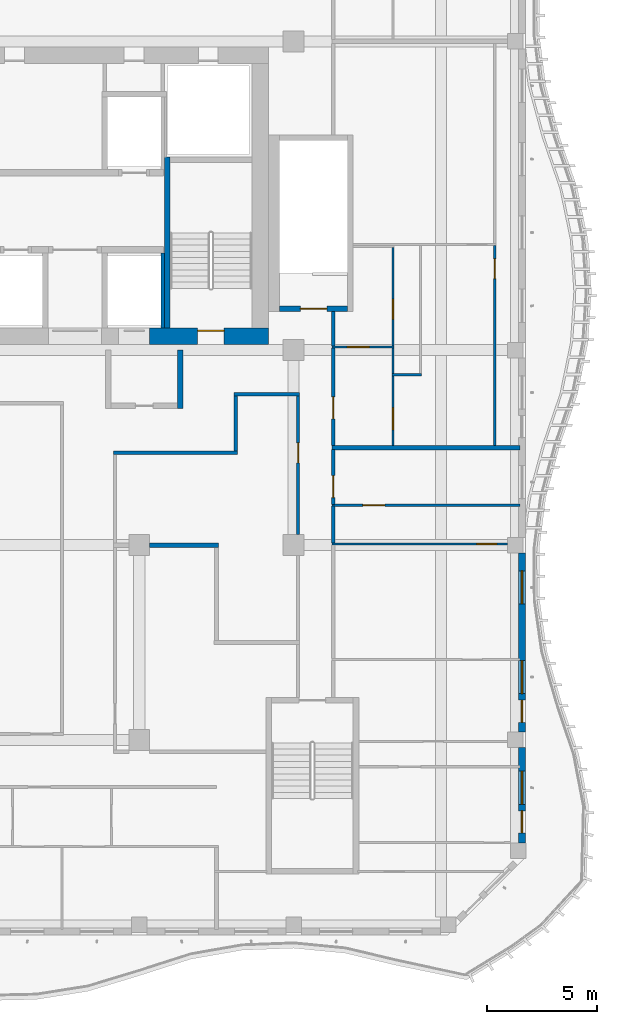
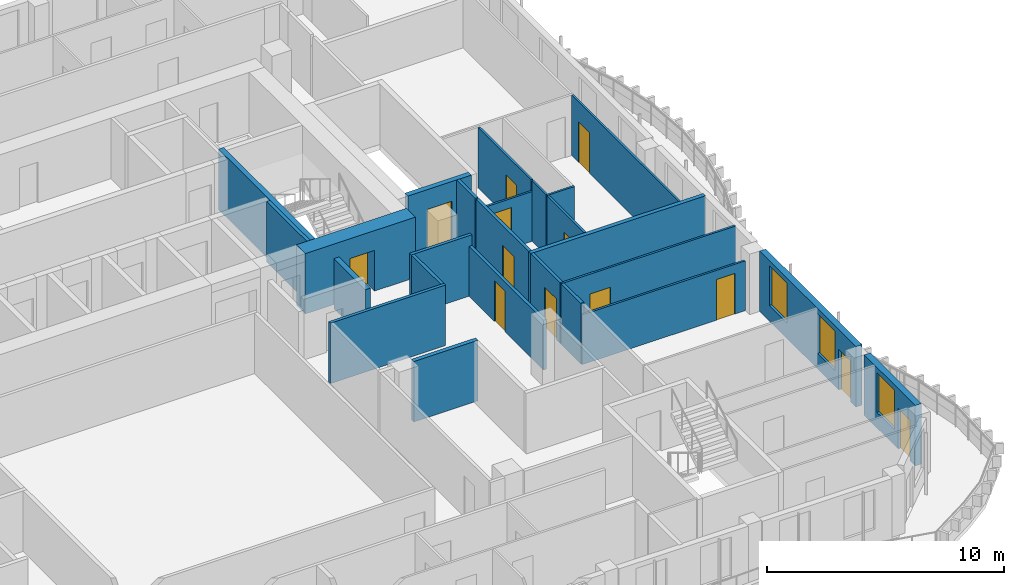
# One storey, part 6 of 18: 25 walls, 13 doors, 3 windows, 16 openings.
"""IFC4 building model written with IfcOpenShell, lengths in metres."""

from ifc_helpers import new_model, si_unit, direction, frame, frame_2d, origin, place, context, subcontext, project, spatial, rectangle, extrude, source, transform, mapped, material, layer, layer_set, type_object, element, fill, save


model = new_model("IFC4")

# Units and contexts
model_context = context("Model", 3, precision=1e-05, world=origin(), true_north=direction((0.0, 1.0)))
body_context = subcontext(model_context, "Body", "Model", "MODEL_VIEW")
ifc_project = project(units=[si_unit("LENGTHUNIT", "METRE"), si_unit("AREAUNIT", "SQUARE_METRE"), si_unit("VOLUMEUNIT", "CUBIC_METRE"), si_unit("PLANEANGLEUNIT", "RADIAN"), si_unit("MASSUNIT", "GRAM", prefix="KILO")], contexts=[model_context])

# Site, building, storey
site_placement = place(None, origin())
site = spatial("IfcSite", under=ifc_project, at=site_placement, CompositionType="ELEMENT")
building_placement = place(site_placement, origin())
building = spatial("IfcBuilding", under=site, at=building_placement, Name="Kilnfold Tower and Market Hall", CompositionType="ELEMENT")
storey_placement = place(building_placement, frame((0.0, 0.0, 256.0)))
storey = spatial("IfcBuildingStorey", under=building, at=storey_placement, Name="L62", CompositionType="ELEMENT", Elevation=256.0)

# Wall
ifc_material_1 = material(Name="Gypsum board on steel studs", Category="steel")
ifc_layer_1 = layer(ifc_material_1, 0.14990234375)
ifc_layer_set_1 = layer_set([ifc_layer_1], Name="Gypsum board on steel studs")
wall_type_1 = type_object("IfcWallType", Name="WALL CORRIDOR 150", PredefinedType="PARTITIONING", material=ifc_layer_set_1)
wall_1_placement = place(storey_placement, frame((20.800048828125, -0.743896484375, 0.0), z_axis=(0.0, 0.0, 1.0), x_axis=(0.0, 1.0, 0.0)))
element("IfcWall", 1, at=wall_1_placement, inside=storey, type_object=wall_type_1, Name="Partition LY38.14", PredefinedType="PARTITIONING", context=body_context, shape_type="SweptSolid", body=[
    extrude(rectangle(XDim=1.6708984375, YDim=0.14990234375, at=frame_2d((0.83544921875, 0.0))), origin(), (0.0, 0.0, 1.0), 3.1201171875),
])

# Wall, opening, door
wall_2_placement = place(storey_placement, frame((20.800048828125, 1.007080078125, 0.0), z_axis=(0.0, 0.0, 1.0), x_axis=(0.0, 1.0, 0.0)))
wall_2 = element("IfcWall", 2, at=wall_2_placement, inside=storey, type_object=wall_type_1, Name="Partition LY38.15", PredefinedType="PARTITIONING", context=body_context, shape_type="SweptSolid", body=[
    extrude(rectangle(XDim=2.48583984375, YDim=0.14990234375, at=frame_2d((1.242919921875, 0.0))), origin(), (0.0, 0.0, 1.0), 3.1201171875),
])
opening_1_placement = place(wall_2_placement, frame((0.30908203125, 0.0, 0.0)))
opening_1 = element("IfcOpeningElement", 3, at=opening_1_placement, cuts=wall_2, Name="Opening D1", PredefinedType="OPENING", context=body_context, shape_type="SweptSolid", body=[
    extrude(rectangle(XDim=1.0, YDim=2.10009765625, at=frame_2d((0.5, 1.050048828125))), frame((0.0, 0.0849609375, 0.0), z_axis=(0.0, -1.0, 0.0), x_axis=(1.0, 0.0, 0.0)), (0.0, 0.0, 1.0), 0.169921875),
])
ifc_material_2 = material(Name="Timber veneer door leaf in steel frame", Category="steel")
door_type_1 = type_object("IfcDoorType", Name="DOOR ENTRY 1000 X2100", OperationType="NOTDEFINED", PredefinedType="DOOR", material=ifc_material_2)
door_1_placement = place(opening_1_placement, origin())
door_1 = element("IfcDoor", 4, at=door_1_placement, inside=storey, type_object=door_type_1, Name="Door D1", OperationType="SINGLE_SWING_RIGHT", OverallHeight=2.10009765625, OverallWidth=1.0, PredefinedType="DOOR", context=body_context, shape_type="SweptSolid", body=[
    extrude(rectangle(XDim=1.0, YDim=2.10009765625, at=frame_2d((0.5, 1.050048828125))), frame((0.0, 0.02490234375, 0.0), z_axis=(0.0, -1.0, 0.0), x_axis=(1.0, 0.0, 0.0)), (0.0, 0.0, 1.0), 0.050048828125),
])
fill(opening_1, door_1)

wall_3_placement = place(storey_placement, frame((20.800048828125, 3.673095703125, 0.0), z_axis=(0.0, 0.0, 1.0), x_axis=(0.0, 1.0, 0.0)))
wall_3 = element("IfcWall", 5, at=wall_3_placement, inside=storey, type_object=wall_type_1, Name="Partition LY38.17", PredefinedType="PARTITIONING", context=body_context, shape_type="SweptSolid", body=[
    extrude(rectangle(XDim=4.428955078125, YDim=0.14990234375, at=frame_2d((2.21435546875, 0.0))), origin(), (0.0, 0.0, 1.0), 3.1201171875),
])
opening_2_placement = place(wall_3_placement, frame((1.2099609375, 0.0, 0.0)))
opening_2 = element("IfcOpeningElement", 6, at=opening_2_placement, cuts=wall_3, Name="Opening D1", PredefinedType="OPENING", context=body_context, shape_type="SweptSolid", body=[
    extrude(rectangle(XDim=1.0, YDim=2.10009765625, at=frame_2d((0.5, 1.050048828125))), frame((0.0, 0.0849609375, 0.0), z_axis=(0.0, -1.0, 0.0), x_axis=(1.0, 0.0, 0.0)), (0.0, 0.0, 1.0), 0.169921875),
])
door_2_placement = place(opening_2_placement, origin())
door_2 = element("IfcDoor", 7, at=door_2_placement, inside=storey, type_object=door_type_1, Name="Door D1", OperationType="SINGLE_SWING_LEFT", OverallHeight=2.10009765625, OverallWidth=1.0, PredefinedType="DOOR", context=body_context, shape_type="SweptSolid", body=[
    extrude(rectangle(XDim=1.0, YDim=2.10009765625, at=frame_2d((0.5, 1.050048828125))), frame((0.0, 0.02490234375, 0.0), z_axis=(0.0, -1.0, 0.0), x_axis=(1.0, 0.0, 0.0)), (0.0, 0.0, 1.0), 0.050048828125),
])
fill(opening_2, door_2)

# Wall
wall_4_placement = place(storey_placement, frame((20.800048828125, 8.181884765625, 0.0), z_axis=(0.0, 0.0, 1.0), x_axis=(0.0, 1.0, 0.0)))
element("IfcWall", 8, at=wall_4_placement, inside=storey, type_object=wall_type_1, Name="Partition LY38.18", PredefinedType="PARTITIONING", context=body_context, shape_type="SweptSolid", body=[
    extrude(rectangle(XDim=1.568115234375, YDim=0.14990234375, at=frame_2d((0.7841796875, 0.0))), origin(), (0.0, 0.0, 1.0), 3.1201171875),
])

# Wall, opening, door
wall_5_placement = place(storey_placement, frame((19.199951171875, -0.35791015625, 0.0), z_axis=(0.0, 0.0, 1.0), x_axis=(0.0, 1.0, 0.0)))
wall_5 = element("IfcWall", 9, at=wall_5_placement, inside=storey, type_object=wall_type_1, Name="Partition LY38.45", PredefinedType="PARTITIONING", context=body_context, shape_type="SweptSolid", body=[
    extrude(rectangle(XDim=6.282958984375, YDim=0.14990234375, at=frame_2d((3.1416015625, 0.0))), origin(), (0.0, 0.0, 1.0), 2.570068359375),
])
opening_3_placement = place(wall_5_placement, frame((3.2509765625, 0.0, 0.0)))
opening_3 = element("IfcOpeningElement", 10, at=opening_3_placement, cuts=wall_5, Name="Opening D2", PredefinedType="OPENING", context=body_context, shape_type="SweptSolid", body=[
    extrude(rectangle(XDim=0.89990234375, YDim=2.10009765625, at=frame_2d((0.449951171875, 1.050048828125))), frame((0.0, 0.0849609375, 0.0), z_axis=(0.0, -1.0, 0.0), x_axis=(1.0, 0.0, 0.0)), (0.0, 0.0, 1.0), 0.169921875),
])
ifc_material_3 = material(Name="Timber veneer door leaf in steel frame", Category="steel")
door_type_2 = type_object("IfcDoorType", Name="DOOR ROOM 900 X2100", OperationType="NOTDEFINED", PredefinedType="DOOR", material=ifc_material_3)
door_3_placement = place(opening_3_placement, origin())
door_3 = element("IfcDoor", 11, at=door_3_placement, inside=storey, type_object=door_type_2, Name="Door D2", OperationType="SINGLE_SWING_RIGHT", OverallHeight=2.10009765625, OverallWidth=0.89990234375, PredefinedType="DOOR", context=body_context, shape_type="SweptSolid", body=[
    extrude(rectangle(XDim=0.89990234375, YDim=2.10009765625, at=frame_2d((0.449951171875, 1.050048828125))), frame((0.0, 0.02490234375, 0.0), z_axis=(0.0, -1.0, 0.0), x_axis=(1.0, 0.0, 0.0)), (0.0, 0.0, 1.0), 0.050048828125),
])
fill(opening_3, door_3)

# Walls
wall_6_placement = place(storey_placement, frame((16.304931640625, 6.0, 0.0), z_axis=(0.0, 0.0, 1.0), x_axis=(1.0, 0.0, 0.0)))
element("IfcWall", 12, at=wall_6_placement, inside=storey, type_object=wall_type_1, Name="Partition LY38.46", PredefinedType="PARTITIONING", context=body_context, shape_type="SweptSolid", body=[
    extrude(rectangle(XDim=2.969970703125, YDim=0.14990234375, at=frame_2d((1.48486328125, 0.0))), origin(), (0.0, 0.0, 1.0), 3.1201171875),
])
wall_7_placement = place(storey_placement, frame((16.3798828125, 3.425048828125, 0.0), z_axis=(0.0, 0.0, 1.0), x_axis=(0.0, 1.0, 0.0)))
element("IfcWall", 13, at=wall_7_placement, inside=storey, type_object=wall_type_1, Name="Partition LY38.47", PredefinedType="PARTITIONING", context=body_context, shape_type="SweptSolid", body=[
    extrude(rectangle(XDim=2.5, YDim=0.14990234375, at=frame_2d((1.25, 0.0))), origin(), (0.0, 0.0, 1.0), 3.1201171875),
])
wall_8_placement = place(storey_placement, frame((10.824951171875, 3.35009765625, 0.0), z_axis=(0.0, 0.0, 1.0), x_axis=(1.0, 0.0, 0.0)))
element("IfcWall", 14, at=wall_8_placement, inside=storey, type_object=wall_type_1, Name="Partition LY38.48", PredefinedType="PARTITIONING", context=body_context, shape_type="SweptSolid", body=[
    extrude(rectangle(XDim=5.630126953125, YDim=0.14990234375, at=frame_2d((2.81494140625, 0.0))), origin(), (0.0, 0.0, 1.0), 3.1201171875),
])

# Wall, opening, door
ifc_material_4 = material(Name="Gypsum board on steel studs", Category="steel")
ifc_layer_2 = layer(ifc_material_4, 0.10009765625)
ifc_layer_set_2 = layer_set([ifc_layer_2], Name="Gypsum board on steel studs")
wall_type_2 = type_object("IfcWallType", Name="WALL PARTITION 100", PredefinedType="PARTITIONING", material=ifc_layer_set_2)
wall_9_placement = place(storey_placement, frame((28.699951171875, -0.783935546875, 0.0), z_axis=(0.0, 0.0, 1.0), x_axis=(-1.0, 0.0, 0.0)))
wall_9 = element("IfcWall", 15, at=wall_9_placement, inside=storey, type_object=wall_type_2, Name="Partition LY38.80", PredefinedType="PARTITIONING", context=body_context, shape_type="SweptSolid", body=[
    extrude(rectangle(XDim=7.972900390625, YDim=0.10009765625, at=frame_2d((3.986328125, 0.0))), origin(), (0.0, 0.0, 1.0), 2.570068359375),
])
opening_4_placement = place(wall_9_placement, frame((0.5029296875, 0.0, 0.0)))
opening_4 = element("IfcOpeningElement", 16, at=opening_4_placement, cuts=wall_9, Name="Opening D2", PredefinedType="OPENING", context=body_context, shape_type="SweptSolid", body=[
    extrude(rectangle(XDim=0.89990234375, YDim=2.10009765625, at=frame_2d((0.449951171875, 1.050048828125))), frame((0.0, 0.06005859375, 0.0), z_axis=(0.0, -1.0, 0.0), x_axis=(1.0, 0.0, 0.0)), (0.0, 0.0, 1.0), 0.1201171875),
])
door_4_placement = place(opening_4_placement, origin())
door_4 = element("IfcDoor", 17, at=door_4_placement, inside=storey, type_object=door_type_2, Name="Door D2", OperationType="SINGLE_SWING_LEFT", OverallHeight=2.10009765625, OverallWidth=0.89990234375, PredefinedType="DOOR", context=body_context, shape_type="SweptSolid", body=[
    extrude(rectangle(XDim=0.89990234375, YDim=2.10009765625, at=frame_2d((0.449951171875, 1.050048828125))), frame((0.0, 0.02490234375, 0.0), z_axis=(0.0, -1.0, 0.0), x_axis=(1.0, 0.0, 0.0)), (0.0, 0.0, 1.0), 0.050048828125),
])
fill(opening_4, door_4)

wall_10_placement = place(storey_placement, frame((29.25, 0.967041015625, 0.0), z_axis=(0.0, 0.0, 1.0), x_axis=(-1.0, 0.0, 0.0)))
wall_10 = element("IfcWall", 18, at=wall_10_placement, inside=storey, type_object=wall_type_2, Name="Partition LY38.81", PredefinedType="PARTITIONING", context=body_context, shape_type="SweptSolid", body=[
    extrude(rectangle(XDim=8.52294921875, YDim=0.10009765625, at=frame_2d((4.261474609375, 0.0))), origin(), (0.0, 0.0, 1.0), 3.1201171875),
])
opening_5_placement = place(wall_10_placement, frame((6.118896484375, 0.0, 0.0)))
opening_5 = element("IfcOpeningElement", 19, at=opening_5_placement, cuts=wall_10, Name="Opening D1", PredefinedType="OPENING", context=body_context, shape_type="SweptSolid", body=[
    extrude(rectangle(XDim=1.0, YDim=2.10009765625, at=frame_2d((0.5, 1.050048828125))), frame((0.0, 0.06005859375, 0.0), z_axis=(0.0, -1.0, 0.0), x_axis=(1.0, 0.0, 0.0)), (0.0, 0.0, 1.0), 0.1201171875),
])
door_5_placement = place(opening_5_placement, origin())
door_5 = element("IfcDoor", 20, at=door_5_placement, inside=storey, type_object=door_type_1, Name="Door D1", OperationType="SINGLE_SWING_LEFT", OverallHeight=2.10009765625, OverallWidth=1.0, PredefinedType="DOOR", context=body_context, shape_type="SweptSolid", body=[
    extrude(rectangle(XDim=1.0, YDim=2.10009765625, at=frame_2d((0.5, 1.050048828125))), frame((0.0, 0.02490234375, 0.0), z_axis=(0.0, -1.0, 0.0), x_axis=(1.0, 0.0, 0.0)), (0.0, 0.0, 1.0), 0.050048828125),
])
fill(opening_5, door_5)

wall_11_placement = place(storey_placement, frame((23.501953125, 3.68310546875, 0.0), z_axis=(0.0, 0.0, 1.0), x_axis=(0.0, 1.0, 0.0)))
wall_11 = element("IfcWall", 21, at=wall_11_placement, inside=storey, type_object=wall_type_2, Name="Partition LY38.83", PredefinedType="PARTITIONING", context=body_context, shape_type="SweptSolid", body=[
    extrude(rectangle(XDim=3.157958984375, YDim=0.10009765625, at=frame_2d((1.5791015625, 0.0))), origin(), (0.0, 0.0, 1.0), 3.1201171875),
])
opening_6_placement = place(wall_11_placement, frame((0.717041015625, 0.0, 0.0)))
opening_6 = element("IfcOpeningElement", 22, at=opening_6_placement, cuts=wall_11, Name="Opening D1", PredefinedType="OPENING", context=body_context, shape_type="SweptSolid", body=[
    extrude(rectangle(XDim=1.0, YDim=2.10009765625, at=frame_2d((0.5, 1.050048828125))), frame((0.0, 0.06005859375, 0.0), z_axis=(0.0, -1.0, 0.0), x_axis=(1.0, 0.0, 0.0)), (0.0, 0.0, 1.0), 0.1201171875),
])
door_6_placement = place(opening_6_placement, origin())
door_6 = element("IfcDoor", 23, at=door_6_placement, inside=storey, type_object=door_type_1, Name="Door D1", OperationType="SINGLE_SWING_RIGHT", OverallHeight=2.10009765625, OverallWidth=1.0, PredefinedType="DOOR", context=body_context, shape_type="SweptSolid", body=[
    extrude(rectangle(XDim=1.0, YDim=2.10009765625, at=frame_2d((0.5, 1.050048828125))), frame((0.0, 0.02490234375, 0.0), z_axis=(0.0, -1.0, 0.0), x_axis=(1.0, 0.0, 0.0)), (0.0, 0.0, 1.0), 0.050048828125),
])
fill(opening_6, door_6)

wall_12_placement = place(storey_placement, frame((28.111083984375, 3.68310546875, 0.0), z_axis=(0.0, 0.0, 1.0), x_axis=(0.0, 1.0, 0.0)))
wall_12 = element("IfcWall", 24, at=wall_12_placement, inside=storey, type_object=wall_type_2, Name="Partition LY38.84", PredefinedType="PARTITIONING", context=body_context, shape_type="SweptSolid", body=[
    extrude(rectangle(XDim=9.057861328125, YDim=0.10009765625, at=frame_2d((4.52880859375, 0.0))), origin(), (0.0, 0.0, 1.0), 3.1201171875),
])
opening_7_placement = place(wall_12_placement, frame((7.554931640625, 0.0, 0.0)))
opening_7 = element("IfcOpeningElement", 25, at=opening_7_placement, cuts=wall_12, Name="Opening D2", PredefinedType="OPENING", context=body_context, shape_type="SweptSolid", body=[
    extrude(rectangle(XDim=0.89990234375, YDim=2.10009765625, at=frame_2d((0.449951171875, 1.050048828125))), frame((0.0, 0.06005859375, 0.0), z_axis=(0.0, -1.0, 0.0), x_axis=(1.0, 0.0, 0.0)), (0.0, 0.0, 1.0), 0.1201171875),
])
door_7_placement = place(opening_7_placement, origin())
door_7 = element("IfcDoor", 26, at=door_7_placement, inside=storey, type_object=door_type_2, Name="Door D2", OperationType="SINGLE_SWING_RIGHT", OverallHeight=2.10009765625, OverallWidth=0.89990234375, PredefinedType="DOOR", context=body_context, shape_type="SweptSolid", body=[
    extrude(rectangle(XDim=0.89990234375, YDim=2.10009765625, at=frame_2d((0.449951171875, 1.050048828125))), frame((0.0, 0.02490234375, 0.0), z_axis=(0.0, -1.0, 0.0), x_axis=(1.0, 0.0, 0.0)), (0.0, 0.0, 1.0), 0.050048828125),
])
fill(opening_7, door_7)

# Wall
wall_13_placement = place(storey_placement, frame((24.801025390625, 6.89111328125, 0.0), z_axis=(0.0, 0.0, 1.0), x_axis=(-1.0, 0.0, 0.0)))
element("IfcWall", 27, at=wall_13_placement, inside=storey, type_object=wall_type_2, Name="Partition LY38.85", PredefinedType="PARTITIONING", context=body_context, shape_type="SweptSolid", body=[
    extrude(rectangle(XDim=1.34912109375, YDim=0.10009765625, at=frame_2d((0.674560546875, 0.0))), origin(), (0.0, 0.0, 1.0), 3.1201171875),
])

# Wall, opening, door
wall_14_placement = place(storey_placement, frame((23.550048828125, 8.14208984375, 0.0), z_axis=(0.0, 0.0, 1.0), x_axis=(-1.0, 0.0, 0.0)))
wall_14 = element("IfcWall", 28, at=wall_14_placement, inside=storey, type_object=wall_type_2, Name="Partition LY38.90", PredefinedType="PARTITIONING", context=body_context, shape_type="SweptSolid", body=[
    extrude(rectangle(XDim=2.822998046875, YDim=0.10009765625, at=frame_2d((1.41162109375, 0.0))), origin(), (0.0, 0.0, 1.0), 2.570068359375),
])
opening_8_placement = place(wall_14_placement, frame((1.114990234375, 0.0, 0.0)))
opening_8 = element("IfcOpeningElement", 29, at=opening_8_placement, cuts=wall_14, Name="Opening D1", PredefinedType="OPENING", context=body_context, shape_type="SweptSolid", body=[
    extrude(rectangle(XDim=1.0, YDim=2.10009765625, at=frame_2d((0.5, 1.050048828125))), frame((0.0, 0.06005859375, 0.0), z_axis=(0.0, -1.0, 0.0), x_axis=(1.0, 0.0, 0.0)), (0.0, 0.0, 1.0), 0.1201171875),
])
door_8_placement = place(opening_8_placement, origin())
door_8 = element("IfcDoor", 30, at=door_8_placement, inside=storey, type_object=door_type_1, Name="Door D1", OperationType="SINGLE_SWING_RIGHT", OverallHeight=2.10009765625, OverallWidth=1.0, PredefinedType="DOOR", context=body_context, shape_type="SweptSolid", body=[
    extrude(rectangle(XDim=1.0, YDim=2.10009765625, at=frame_2d((0.5, 1.050048828125))), frame((0.0, 0.02490234375, 0.0), z_axis=(0.0, -1.0, 0.0), x_axis=(1.0, 0.0, 0.0)), (0.0, 0.0, 1.0), 0.050048828125),
])
fill(opening_8, door_8)

# Wall
wall_15_placement = place(storey_placement, frame((23.5, 6.931884765625, 0.0), z_axis=(0.0, 0.0, 1.0), x_axis=(0.0, 1.0, 0.0)))
element("IfcWall", 31, at=wall_15_placement, inside=storey, type_object=wall_type_2, Name="Partition LY38.91", PredefinedType="PARTITIONING", context=body_context, shape_type="SweptSolid", body=[
    extrude(rectangle(XDim=1.16015625, YDim=0.10009765625, at=frame_2d((0.580078125, 0.0))), origin(), (0.0, 0.0, 1.0), 3.1201171875),
])

# Wall, opening, door
wall_16_placement = place(storey_placement, frame((23.5, 8.19189453125, 0.0), z_axis=(0.0, 0.0, 1.0), x_axis=(0.0, 1.0, 0.0)))
wall_16 = element("IfcWall", 32, at=wall_16_placement, inside=storey, type_object=wall_type_2, Name="Partition LY38.93", PredefinedType="PARTITIONING", context=body_context, shape_type="SweptSolid", body=[
    extrude(rectangle(XDim=4.4580078125, YDim=0.10009765625, at=frame_2d((2.22900390625, 0.0))), origin(), (0.0, 0.0, 1.0), 3.1201171875),
])
opening_9_placement = place(wall_16_placement, frame((1.218994140625, 0.0, 0.0)))
opening_9 = element("IfcOpeningElement", 33, at=opening_9_placement, cuts=wall_16, Name="Opening D2", PredefinedType="OPENING", context=body_context, shape_type="SweptSolid", body=[
    extrude(rectangle(XDim=0.89990234375, YDim=2.10009765625, at=frame_2d((0.449951171875, 1.050048828125))), frame((0.0, 0.06005859375, 0.0), z_axis=(0.0, -1.0, 0.0), x_axis=(1.0, 0.0, 0.0)), (0.0, 0.0, 1.0), 0.1201171875),
])
door_9_placement = place(opening_9_placement, origin())
door_9 = element("IfcDoor", 34, at=door_9_placement, inside=storey, type_object=door_type_2, Name="Door D2", OperationType="SINGLE_SWING_LEFT", OverallHeight=2.10009765625, OverallWidth=0.89990234375, PredefinedType="DOOR", context=body_context, shape_type="SweptSolid", body=[
    extrude(rectangle(XDim=0.89990234375, YDim=2.10009765625, at=frame_2d((0.449951171875, 1.050048828125))), frame((0.0, 0.02490234375, 0.0), z_axis=(0.0, -1.0, 0.0), x_axis=(1.0, 0.0, 0.0)), (0.0, 0.0, 1.0), 0.050048828125),
])
fill(opening_9, door_9)

# Walls
ifc_material_5 = material(Name="Gypsum board on steel studs", Category="steel")
ifc_layer_3 = layer(ifc_material_5, 0.199951171875)
ifc_layer_set_3 = layer_set([ifc_layer_3], Name="Gypsum board on steel studs")
wall_type_3 = type_object("IfcWallType", Name="WALL PARTY 200", PredefinedType="PARTITIONING", material=ifc_layer_set_3)
wall_17_placement = place(storey_placement, frame((20.72705078125, 3.5830078125, 0.0), z_axis=(0.0, 0.0, 1.0), x_axis=(1.0, 0.0, 0.0)))
element("IfcWall", 35, at=wall_17_placement, inside=storey, type_object=wall_type_3, Name="Partition LY38.82", PredefinedType="PARTITIONING", context=body_context, shape_type="SweptSolid", body=[
    extrude(rectangle(XDim=8.52294921875, YDim=0.199951171875, at=frame_2d((4.261474609375, 0.0))), origin(), (0.0, 0.0, 1.0), 3.1201171875),
])
wall_18_placement = place(storey_placement, frame((12.47509765625, -0.8330078125, 0.0), z_axis=(0.0, 0.0, 1.0), x_axis=(1.0, 0.0, 0.0)))
element("IfcWall", 36, at=wall_18_placement, inside=storey, type_object=wall_type_3, Name="Partition LY38.110", PredefinedType="PARTITIONING", context=body_context, shape_type="SweptSolid", body=[
    extrude(rectangle(XDim=3.125, YDim=0.199951171875, at=frame_2d((1.5625, 0.0))), origin(), (0.0, 0.0, 1.0), 3.1201171875),
])
ifc_material_6 = material(Name="Concrete C60", Category="concrete")
ifc_layer_4 = layer(ifc_material_6, 0.25)
ifc_layer_set_4 = layer_set([ifc_layer_4], Name="Concrete C60")
wall_type_4 = type_object("IfcWallType", Name="CORE WALL 250 C60", PredefinedType="SHEAR", material=ifc_layer_set_4)
shared_shape_1 = source(origin(), body_context, "Body", "SweptSolid", [
    extrude(rectangle(XDim=7.75, YDim=0.25, at=frame_2d((3.875, 0.0))), origin(), (0.0, 0.0, 1.0), 3.1201171875),
])
wall_19_placement = place(storey_placement, frame((13.27490234375, 9.0, 0.0), z_axis=(0.0, 0.0, 1.0), x_axis=(0.0, 1.0, 0.0)))
element("IfcWall", 37, at=wall_19_placement, inside=storey, type_object=wall_type_4, Name="Stair enclosure ST2", PredefinedType="SHEAR", context=body_context, shape_type="MappedRepresentation", body=[
    mapped(shared_shape_1, transform((0.0, 0.0, 0.0))),
])

# Wall, opening, door
shared_shape_2 = source(origin(), body_context, "Body", "SweptSolid", [
    extrude(rectangle(XDim=3.099853515625, YDim=0.25, at=frame_2d((1.5498046875, 0.0))), origin(), (0.0, 0.0, 1.0), 3.1201171875),
])
wall_20_placement = place(storey_placement, frame((18.35009765625, 9.875, 0.0), z_axis=(0.0, 0.0, 1.0), x_axis=(1.0, 0.0, 0.0)))
wall_20 = element("IfcWall", 38, at=wall_20_placement, inside=storey, type_object=wall_type_4, Name="Stair enclosure ST5", PredefinedType="SHEAR", context=body_context, shape_type="MappedRepresentation", body=[
    mapped(shared_shape_2, transform((0.0, 0.0, 0.0))),
])
opening_10_placement = place(wall_20_placement, frame((0.949951171875, 0.0, 0.0)))
opening_10 = element("IfcOpeningElement", 39, at=opening_10_placement, cuts=wall_20, Name="Opening SD1", PredefinedType="OPENING", context=body_context, shape_type="SweptSolid", body=[
    extrude(rectangle(XDim=1.199951171875, YDim=2.10009765625, at=frame_2d((0.60009765625, 1.050048828125))), frame((0.0, 0.135009765625, 0.0), z_axis=(0.0, -1.0, 0.0), x_axis=(1.0, 0.0, 0.0)), (0.0, 0.0, 1.0), 0.27001953125),
])
ifc_material_7 = material(Name="Steel door set with fire-resisting leaf", Category="steel")
door_type_3 = type_object("IfcDoorType", Name="STAIR FLOOR DOOR 1200X2100", OperationType="NOTDEFINED", PredefinedType="DOOR", material=ifc_material_7)
door_10_placement = place(opening_10_placement, origin())
door_10 = element("IfcDoor", 40, at=door_10_placement, inside=storey, type_object=door_type_3, Name="Exit stair ST5 door", OperationType="DOUBLE_DOOR_SINGLE_SWING", OverallHeight=2.10009765625, OverallWidth=1.199951171875, PredefinedType="DOOR", context=body_context, shape_type="SweptSolid", body=[
    extrude(rectangle(XDim=1.199951171875, YDim=2.10009765625, at=frame_2d((0.60009765625, 1.050048828125))), frame((0.0, 0.02490234375, 0.0), z_axis=(0.0, -1.0, 0.0), x_axis=(1.0, 0.0, 0.0)), (0.0, 0.0, 1.0), 0.050048828125),
])
fill(opening_10, door_10)

ifc_material_8 = material(Name="Concrete C60", Category="concrete")
ifc_layer_5 = layer(ifc_material_8, 0.75)
ifc_layer_set_5 = layer_set([ifc_layer_5], Name="Concrete C60")
wall_type_5 = type_object("IfcWallType", Name="CORE WALL 750 C60", PredefinedType="SHEAR", material=ifc_layer_set_5)
shared_shape_3 = source(origin(), body_context, "Body", "SweptSolid", [
    extrude(rectangle(XDim=5.380126953125, YDim=0.75, at=frame_2d((2.68994140625, 0.0))), origin(), (0.0, 0.0, 1.0), 3.1201171875),
])
wall_21_placement = place(storey_placement, frame((12.469970703125, 8.625, 0.0), z_axis=(0.0, 0.0, 1.0), x_axis=(1.0, 0.0, 0.0)))
wall_21 = element("IfcWall", 41, at=wall_21_placement, inside=storey, type_object=wall_type_5, Name="Core outer wall south", PredefinedType="SHEAR", context=body_context, shape_type="MappedRepresentation", body=[
    mapped(shared_shape_3, transform((0.0, 0.0, 0.0))),
])
opening_11_placement = place(wall_21_placement, frame((2.179931640625, 0.0, 0.0)))
opening_11 = element("IfcOpeningElement", 42, at=opening_11_placement, cuts=wall_21, Name="Opening SD1", PredefinedType="OPENING", context=body_context, shape_type="SweptSolid", body=[
    extrude(rectangle(XDim=1.199951171875, YDim=2.10009765625, at=frame_2d((0.60009765625, 1.050048828125))), frame((0.0, 0.385009765625, 0.0), z_axis=(0.0, -1.0, 0.0), x_axis=(1.0, 0.0, 0.0)), (0.0, 0.0, 1.0), 0.77001953125),
])
door_11_placement = place(opening_11_placement, origin())
door_11 = element("IfcDoor", 43, at=door_11_placement, inside=storey, type_object=door_type_3, Name="Exit stair ST2 door", OperationType="DOUBLE_DOOR_SINGLE_SWING", OverallHeight=2.10009765625, OverallWidth=1.199951171875, PredefinedType="DOOR", context=body_context, shape_type="SweptSolid", body=[
    extrude(rectangle(XDim=1.199951171875, YDim=2.10009765625, at=frame_2d((0.60009765625, 1.050048828125))), frame((0.0, 0.27978515625, 0.0), z_axis=(0.0, -1.0, 0.0), x_axis=(1.0, 0.0, 0.0)), (0.0, 0.0, 1.0), 0.050048828125),
])
fill(opening_11, door_11)

# Wall, openings, door, window
ifc_material_9 = material(Name="Precast concrete C50/60", Category="concrete")
ifc_layer_6 = layer(ifc_material_9, 0.300048828125)
ifc_layer_set_6 = layer_set([ifc_layer_6], Name="Precast concrete C50/60")
wall_type_6 = type_object("IfcWallType", Name="PRECAST WALL 300", PredefinedType="SOLIDWALL", material=ifc_layer_set_6)
shared_shape_4 = source(origin(), body_context, "Body", "SweptSolid", [
    extrude(rectangle(XDim=4.315185546875, YDim=0.300048828125, at=frame_2d((2.15771484375, 0.0))), origin(), (0.0, 0.0, 1.0), 3.1201171875),
])
wall_22_placement = place(storey_placement, frame((29.35009765625, -14.331787109375, 0.0), z_axis=(0.0, 0.0, 1.0), x_axis=(0.0, 1.0, 0.0)))
wall_22 = element("IfcWall", 44, at=wall_22_placement, inside=storey, type_object=wall_type_6, Name="External wall L62 E", PredefinedType="SOLIDWALL", context=body_context, shape_type="MappedRepresentation", body=[
    mapped(shared_shape_4, transform((0.0, 0.0, 0.0))),
])
opening_12_placement = place(wall_22_placement, frame((1.75, 0.0, 0.800048828125)))
opening_12 = element("IfcOpeningElement", 45, at=opening_12_placement, cuts=wall_22, Name="Opening W5", PredefinedType="OPENING", context=body_context, shape_type="SweptSolid", body=[
    extrude(rectangle(XDim=1.5, YDim=2.050048828125, at=frame_2d((0.75, 1.02490234375))), frame((0.0, 0.16015625, 0.0), z_axis=(0.0, -1.0, 0.0), x_axis=(1.0, 0.0, 0.0)), (0.0, 0.0, 1.0), 0.320068359375),
])
opening_13_placement = place(wall_22_placement, frame((0.449951171875, 0.0, 0.0)))
opening_13 = element("IfcOpeningElement", 46, at=opening_13_placement, cuts=wall_22, Name="Opening BD1", PredefinedType="OPENING", context=body_context, shape_type="SweptSolid", body=[
    extrude(rectangle(XDim=1.0, YDim=2.10009765625, at=frame_2d((0.5, 1.050048828125))), frame((0.0, 0.16015625, 0.0), z_axis=(0.0, -1.0, 0.0), x_axis=(1.0, 0.0, 0.0)), (0.0, 0.0, 1.0), 0.320068359375),
])
ifc_material_10 = material(Name="Aluminium frame and double glazing", Category="aluminium")
door_type_4 = type_object("IfcDoorType", Name="BALCONY DOOR 1000X2100", OperationType="NOTDEFINED", PredefinedType="DOOR", material=ifc_material_10)
door_12_placement = place(opening_13_placement, origin())
door_12 = element("IfcDoor", 47, at=door_12_placement, inside=storey, type_object=door_type_4, Name="Balcony door BD1 L62 E-1", OperationType="SINGLE_SWING_LEFT", OverallHeight=2.10009765625, OverallWidth=1.0, PredefinedType="DOOR", context=body_context, shape_type="SweptSolid", body=[
    extrude(rectangle(XDim=1.0, YDim=2.10009765625, at=frame_2d((0.5, 1.050048828125))), frame((0.0, 0.02490234375, 0.0), z_axis=(0.0, -1.0, 0.0), x_axis=(1.0, 0.0, 0.0)), (0.0, 0.0, 1.0), 0.050048828125),
])
fill(opening_13, door_12)
ifc_material_11 = material(Name="Aluminium frame and double glazing", Category="aluminium")
window_type = type_object("IfcWindowType", Name="WINDOW W5 1500X2050", PartitioningType="SINGLE_PANEL", PredefinedType="WINDOW", material=ifc_material_11)
window_1_placement = place(opening_12_placement, origin())
window_1 = element("IfcWindow", 48, at=window_1_placement, inside=storey, type_object=window_type, Name="Window W5 L62 E-1", OverallHeight=2.050048828125, OverallWidth=1.5, PartitioningType="SINGLE_PANEL", PredefinedType="WINDOW", context=body_context, shape_type="SweptSolid", body=[
    extrude(rectangle(XDim=1.5, YDim=2.050048828125, at=frame_2d((0.75, 1.02490234375))), frame((0.0, 0.030029296875, 0.0), z_axis=(0.0, -1.0, 0.0), x_axis=(1.0, 0.0, 0.0)), (0.0, 0.0, 1.0), 0.06005859375),
])
fill(opening_12, window_1)

# Wall, openings, door, windows
shared_shape_5 = source(origin(), body_context, "Body", "SweptSolid", [
    extrude(rectangle(XDim=8.13330078125, YDim=0.300048828125, at=frame_2d((4.066650390625, 0.0))), origin(), (0.0, 0.0, 1.0), 3.1201171875),
])
wall_23_placement = place(storey_placement, frame((29.35009765625, -9.316650390625, 0.0), z_axis=(0.0, 0.0, 1.0), x_axis=(0.0, 1.0, 0.0)))
wall_23 = element("IfcWall", 49, at=wall_23_placement, inside=storey, type_object=wall_type_6, Name="External wall L62 E", PredefinedType="SOLIDWALL", context=body_context, shape_type="MappedRepresentation", body=[
    mapped(shared_shape_5, transform((0.0, 0.0, 0.0))),
])
opening_14_placement = place(wall_23_placement, frame((1.75, 0.0, 0.800048828125)))
opening_14 = element("IfcOpeningElement", 50, at=opening_14_placement, cuts=wall_23, Name="Opening W5", PredefinedType="OPENING", context=body_context, shape_type="SweptSolid", body=[
    extrude(rectangle(XDim=1.5, YDim=2.050048828125, at=frame_2d((0.75, 1.02490234375))), frame((0.0, 0.16015625, 0.0), z_axis=(0.0, -1.0, 0.0), x_axis=(1.0, 0.0, 0.0)), (0.0, 0.0, 1.0), 0.320068359375),
])
opening_15_placement = place(wall_23_placement, frame((0.449951171875, 0.0, 0.0)))
opening_15 = element("IfcOpeningElement", 51, at=opening_15_placement, cuts=wall_23, Name="Opening BD1", PredefinedType="OPENING", context=body_context, shape_type="SweptSolid", body=[
    extrude(rectangle(XDim=1.0, YDim=2.10009765625, at=frame_2d((0.5, 1.050048828125))), frame((0.0, 0.16015625, 0.0), z_axis=(0.0, -1.0, 0.0), x_axis=(1.0, 0.0, 0.0)), (0.0, 0.0, 1.0), 0.320068359375),
])
opening_16_placement = place(wall_23_placement, frame((5.816650390625, 0.0, 0.800048828125)))
opening_16 = element("IfcOpeningElement", 52, at=opening_16_placement, cuts=wall_23, Name="Opening W5", PredefinedType="OPENING", context=body_context, shape_type="SweptSolid", body=[
    extrude(rectangle(XDim=1.5, YDim=2.050048828125, at=frame_2d((0.75, 1.02490234375))), frame((0.0, 0.16015625, 0.0), z_axis=(0.0, -1.0, 0.0), x_axis=(1.0, 0.0, 0.0)), (0.0, 0.0, 1.0), 0.320068359375),
])
door_13_placement = place(opening_15_placement, origin())
door_13 = element("IfcDoor", 53, at=door_13_placement, inside=storey, type_object=door_type_4, Name="Balcony door BD1 L62 E-1", OperationType="SINGLE_SWING_LEFT", OverallHeight=2.10009765625, OverallWidth=1.0, PredefinedType="DOOR", context=body_context, shape_type="SweptSolid", body=[
    extrude(rectangle(XDim=1.0, YDim=2.10009765625, at=frame_2d((0.5, 1.050048828125))), frame((0.0, 0.02490234375, 0.0), z_axis=(0.0, -1.0, 0.0), x_axis=(1.0, 0.0, 0.0)), (0.0, 0.0, 1.0), 0.050048828125),
])
fill(opening_15, door_13)
window_2_placement = place(opening_14_placement, origin())
window_2 = element("IfcWindow", 54, at=window_2_placement, inside=storey, type_object=window_type, Name="Window W5 L62 E-1", OverallHeight=2.050048828125, OverallWidth=1.5, PartitioningType="SINGLE_PANEL", PredefinedType="WINDOW", context=body_context, shape_type="SweptSolid", body=[
    extrude(rectangle(XDim=1.5, YDim=2.050048828125, at=frame_2d((0.75, 1.02490234375))), frame((0.0, 0.030029296875, 0.0), z_axis=(0.0, -1.0, 0.0), x_axis=(1.0, 0.0, 0.0)), (0.0, 0.0, 1.0), 0.06005859375),
])
fill(opening_14, window_2)
window_3_placement = place(opening_16_placement, origin())
window_3 = element("IfcWindow", 55, at=window_3_placement, inside=storey, type_object=window_type, Name="Window W5 L62 E-2", OverallHeight=2.050048828125, OverallWidth=1.5, PartitioningType="SINGLE_PANEL", PredefinedType="WINDOW", context=body_context, shape_type="SweptSolid", body=[
    extrude(rectangle(XDim=1.5, YDim=2.050048828125, at=frame_2d((0.75, 1.02490234375))), frame((0.0, 0.030029296875, 0.0), z_axis=(0.0, -1.0, 0.0), x_axis=(1.0, 0.0, 0.0)), (0.0, 0.0, 1.0), 0.06005859375),
])
fill(opening_16, window_3)

# Walls
ifc_material_12 = material(Name="Gypsum shaft wall system")
ifc_layer_7 = layer(ifc_material_12, 0.1650390625)
ifc_layer_set_7 = layer_set([ifc_layer_7], Name="Gypsum shaft wall system")
wall_type_7 = type_object("IfcWallType", Name="SHAFT WALL 165", PredefinedType="PARTITIONING", material=ifc_layer_set_7)
shared_shape_6 = source(origin(), body_context, "Body", "SweptSolid", [
    extrude(rectangle(XDim=3.39990234375, YDim=0.1650390625, at=frame_2d((1.699951171875, 0.0))), origin(), (0.0, 0.0, 1.0), 3.1201171875),
])
wall_24_placement = place(storey_placement, frame((13.0673828125, 9.0, 0.0), z_axis=(0.0, 0.0, 1.0), x_axis=(0.0, 1.0, 0.0)))
element("IfcWall", 56, at=wall_24_placement, inside=storey, type_object=wall_type_7, Name="Lift shaft wall", PredefinedType="PARTITIONING", context=body_context, shape_type="MappedRepresentation", body=[
    mapped(shared_shape_6, transform((0.0, 0.0, 0.0))),
])
ifc_material_13 = material(Name="Gypsum shaft wall system")
ifc_layer_8 = layer(ifc_material_13, 0.25)
ifc_layer_set_8 = layer_set([ifc_layer_8], Name="Gypsum shaft wall system")
wall_type_8 = type_object("IfcWallType", Name="LOBBY WALL 250", PredefinedType="PARTITIONING", material=ifc_layer_set_8)
shared_shape_7 = source(origin(), body_context, "Body", "SweptSolid", [
    extrude(rectangle(XDim=2.64990234375, YDim=0.25, at=frame_2d((1.324951171875, 0.0))), origin(), (0.0, 0.0, 1.0), 2.570068359375),
])
wall_25_placement = place(storey_placement, frame((13.85498046875, 5.35009765625, 0.0), z_axis=(0.0, 0.0, 1.0), x_axis=(0.0, 1.0, 0.0)))
element("IfcWall", 57, at=wall_25_placement, inside=storey, type_object=wall_type_8, Name="Firefighting lobby wall", PredefinedType="PARTITIONING", context=body_context, shape_type="MappedRepresentation", body=[
    mapped(shared_shape_7, transform((0.0, 0.0, 0.0))),
])

save(model, "model.ifc")
